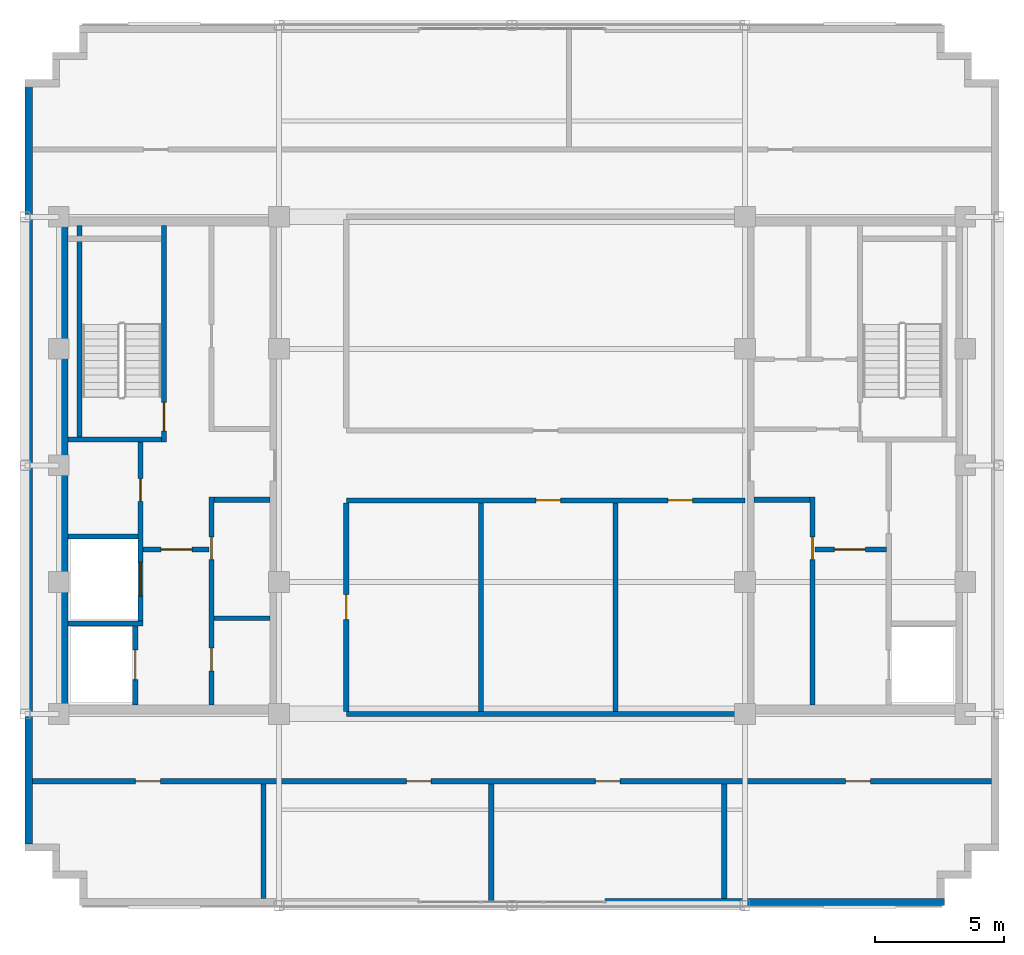
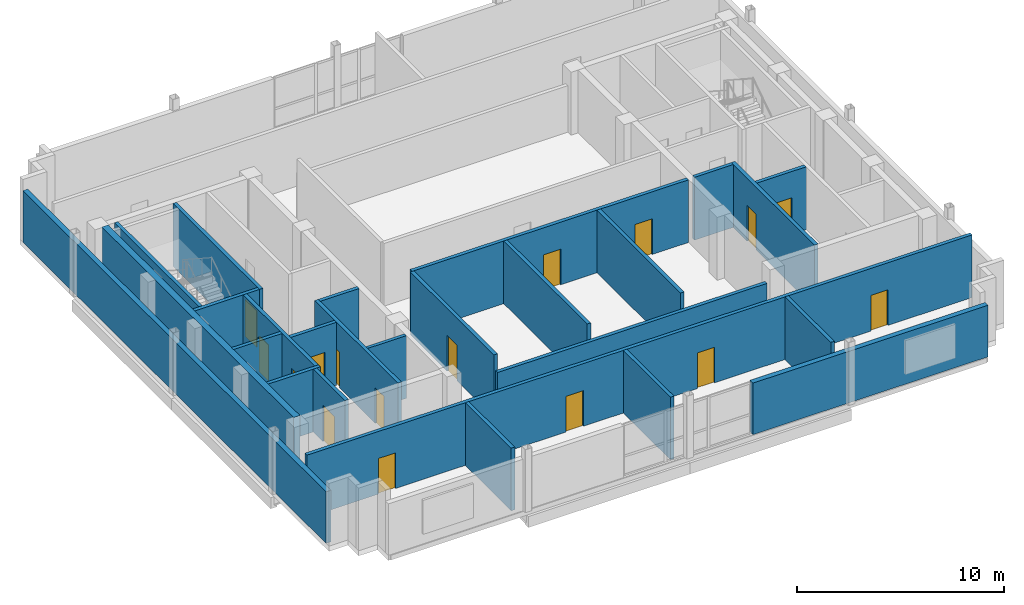
# One storey, part 2 of 10: 26 walls, 16 doors, 16 openings.
"""IFC4 building model written with IfcOpenShell, lengths in metres."""

from ifc_helpers import new_model, si_unit, direction, frame, frame_2d, origin, place, context, subcontext, project, spatial, rectangle, extrude, source, transform, mapped, material, layer, layer_set, type_object, type_shapes, element, fill, save


model = new_model("IFC4")

# Units and contexts
model_context = context("Model", 3, precision=1e-05, world=origin(), true_north=direction((0.0, 1.0)))
body_context = subcontext(model_context, "Body", "Model", "MODEL_VIEW")
ifc_project = project(units=[si_unit("LENGTHUNIT", "METRE"), si_unit("AREAUNIT", "SQUARE_METRE"), si_unit("VOLUMEUNIT", "CUBIC_METRE"), si_unit("PLANEANGLEUNIT", "RADIAN"), si_unit("MASSUNIT", "GRAM", prefix="KILO")], contexts=[model_context])

# Site, building, storey
site_placement = place(None, origin())
site = spatial("IfcSite", under=ifc_project, at=site_placement, CompositionType="ELEMENT")
building_placement = place(site_placement, origin())
building = spatial("IfcBuilding", under=site, at=building_placement, Name="Nuvemarco Arch Tower", CompositionType="ELEMENT")
storey_placement = place(building_placement, frame((0.0, 0.0, 303.14990234375)))
storey = spatial("IfcBuildingStorey", under=building, at=storey_placement, Name="L80", CompositionType="ELEMENT", Elevation=303.14990234375)

# Walls
ifc_material_1 = material(Name="Precast concrete C45/55", Category="concrete")
ifc_layer_1 = layer(ifc_material_1, 0.280029296875, Name="EW-CRN-280")
ifc_layer_set_1 = layer_set([ifc_layer_1], Name="Precast concrete C45/55")
wall_type_1 = type_object("IfcWallType", Name="EW-CRN-280", PredefinedType="STANDARD", material=ifc_layer_set_1)
wall_1_placement = place(storey_placement, frame((3.60009765625, -16.860107421875, 0.0), z_axis=(0.0, 0.0, 1.0), x_axis=(1.0, 0.0, 0.0)))
element("IfcWall", 1, at=wall_1_placement, inside=storey, type_object=wall_type_1, Name="L80 exterior precast pier wall south right", PredefinedType="STANDARD", context=body_context, shape_type="SweptSolid", body=[
    extrude(rectangle(XDim=13.099853515625, YDim=0.280029296875, at=frame_2d((6.5498046875, 0.0))), origin(), (0.0, 0.0, 1.0), 3.03515625),
])
wall_2_placement = place(storey_placement, frame((-18.659912109375, -14.6240234375, 0.0), z_axis=(0.0, 0.0, 1.0), x_axis=(0.0, 1.0, 0.0)))
element("IfcWall", 2, at=wall_2_placement, inside=storey, type_object=wall_type_1, Name="L80 exterior precast facade wall 16", PredefinedType="STANDARD", context=body_context, shape_type="SweptSolid", body=[
    extrude(rectangle(XDim=29.248046875, YDim=0.280029296875, at=frame_2d((14.6240234375, 0.0))), origin(), (0.0, 0.0, 1.0), 3.03515625),
])
ifc_material_2 = material(Name="Concrete C50/60", Category="concrete")
ifc_layer_2 = layer(ifc_material_2, 0.35009765625, Name="WL-CORE-350")
ifc_layer_set_2 = layer_set([ifc_layer_2], Name="Concrete C50/60")
wall_type_2 = type_object("IfcWallType", Name="WL-CORE-350", PredefinedType="SHEAR", material=ifc_layer_set_2)
wall_3_placement = place(storey_placement, frame((-17.324951171875, -9.2548828125, 0.0), z_axis=(0.0, 0.0, 1.0), x_axis=(0.0, 1.0, 0.0)))
element("IfcWall", 3, at=wall_3_placement, inside=storey, type_object=wall_type_2, Name="L80 W-core shear wall W", PredefinedType="SHEAR", context=body_context, shape_type="SweptSolid", body=[
    extrude(rectangle(XDim=18.509765625, YDim=0.35009765625, at=frame_2d((9.2548828125, 0.0))), origin(), (0.0, 0.0, 1.0), 3.7001953125),
])
ifc_material_3 = material(Name="Fire-rated gypsum drywall partition")
ifc_layer_3 = layer(ifc_material_3, 0.179931640625, Name="WL-CORR-180")
ifc_layer_set_3 = layer_set([ifc_layer_3], Name="Fire-rated gypsum drywall partition")
wall_type_3 = type_object("IfcWallType", Name="WL-CORR-180", PredefinedType="PARTITIONING", material=ifc_layer_set_3)
wall_4_placement = place(storey_placement, frame((-11.5048828125, -5.89990234375, 0.0), z_axis=(0.0, 0.0, 1.0), x_axis=(1.0, 0.0, 0.0)))
element("IfcWall", 4, at=wall_4_placement, inside=storey, type_object=wall_type_3, Name="L80 interior wall IW-L80-W-RECK3", PredefinedType="PARTITIONING", context=body_context, shape_type="SweptSolid", body=[
    extrude(rectangle(XDim=2.159912109375, YDim=0.179931640625, at=frame_2d((1.080078125, 0.0))), origin(), (0.0, 0.0, 1.0), 3.690185546875),
])

# Wall, openings, doors
ifc_layer_4 = layer(ifc_material_1, 0.199951171875, Name="WL-PLANT-200")
ifc_layer_set_4 = layer_set([ifc_layer_4], Name="Precast concrete C45/55")
wall_type_4 = type_object("IfcWallType", Name="WL-PLANT-200", PredefinedType="STANDARD", material=ifc_layer_set_4)
wall_5_placement = place(storey_placement, frame((-18.52001953125, -12.199951171875, 0.0), z_axis=(0.0, 0.0, 1.0), x_axis=(1.0, 0.0, 0.0)))
wall_5 = element("IfcWall", 5, at=wall_5_placement, inside=storey, type_object=wall_type_4, Name="L80 interior wall IW-L80-001", PredefinedType="STANDARD", context=body_context, shape_type="SweptSolid", body=[
    extrude(rectangle(XDim=37.0400390625, YDim=0.199951171875, at=frame_2d((18.52001953125, 0.0))), origin(), (0.0, 0.0, 1.0), 3.690185546875),
])
opening_1_placement = place(wall_5_placement, frame((31.39990234375, 0.0, 0.0)))
opening_1 = element("IfcOpeningElement", 6, at=opening_1_placement, cuts=wall_5, Name="Opening FD-5", PredefinedType="OPENING", context=body_context, shape_type="SweptSolid", body=[
    extrude(rectangle(XDim=0.9599609375, YDim=2.10009765625, at=frame_2d((0.47998046875, 1.050048828125))), frame((0.0, 0.10986328125, 0.0), z_axis=(0.0, -1.0, 0.0), x_axis=(1.0, 0.0, 0.0)), (0.0, 0.0, 1.0), 0.219970703125),
])
opening_2_placement = place(wall_5_placement, frame((21.739990234375, 0.0, 0.0)))
opening_2 = element("IfcOpeningElement", 7, at=opening_2_placement, cuts=wall_5, Name="Opening FD-5", PredefinedType="OPENING", context=body_context, shape_type="SweptSolid", body=[
    extrude(rectangle(XDim=0.9599609375, YDim=2.10009765625, at=frame_2d((0.47998046875, 1.050048828125))), frame((0.0, 0.10986328125, 0.0), z_axis=(0.0, -1.0, 0.0), x_axis=(1.0, 0.0, 0.0)), (0.0, 0.0, 1.0), 0.219970703125),
])
opening_3_placement = place(wall_5_placement, frame((3.97998046875, 0.0, 0.0)))
opening_3 = element("IfcOpeningElement", 8, at=opening_3_placement, cuts=wall_5, Name="Opening FD-5", PredefinedType="OPENING", context=body_context, shape_type="SweptSolid", body=[
    extrude(rectangle(XDim=0.9599609375, YDim=2.10009765625, at=frame_2d((0.47998046875, 1.050048828125))), frame((0.0, 0.10986328125, 0.0), z_axis=(0.0, -1.0, 0.0), x_axis=(1.0, 0.0, 0.0)), (0.0, 0.0, 1.0), 0.219970703125),
])
opening_4_placement = place(wall_5_placement, frame((14.43994140625, 0.0, 0.0)))
opening_4 = element("IfcOpeningElement", 9, at=opening_4_placement, cuts=wall_5, Name="Opening FD-5", PredefinedType="OPENING", context=body_context, shape_type="SweptSolid", body=[
    extrude(rectangle(XDim=0.9599609375, YDim=2.10009765625, at=frame_2d((0.47998046875, 1.050048828125))), frame((0.0, 0.10986328125, 0.0), z_axis=(0.0, -1.0, 0.0), x_axis=(1.0, 0.0, 0.0)), (0.0, 0.0, 1.0), 0.219970703125),
])
ifc_material_4 = material(Name="Timber fire door", Category="wood")
door_type_1 = type_object("IfcDoorType", Name="DR-CORR-FD", OperationType="NOTDEFINED", PredefinedType="DOOR", material=ifc_material_4)
shared_shape_1 = source(origin(), body_context, "Body", "SweptSolid", [
    extrude(rectangle(XDim=0.9599609375, YDim=2.10009765625, at=frame_2d((0.47998046875, 1.050048828125))), frame((0.0, 0.02490234375, 0.0), z_axis=(0.0, -1.0, 0.0), x_axis=(1.0, 0.0, 0.0)), (0.0, 0.0, 1.0), 0.050048828125),
])
type_shapes(door_type_1, [shared_shape_1])
door_1_placement = place(opening_1_placement, origin())
door_1 = element("IfcDoor", 10, at=door_1_placement, inside=storey, type_object=door_type_1, Name="L80 door DR-L80-CRN_S4", OperationType="SINGLE_SWING_LEFT", OverallHeight=2.10009765625, OverallWidth=0.9599609375, PredefinedType="DOOR", context=body_context, shape_type="MappedRepresentation", body=[
    mapped(shared_shape_1, transform((0.0, 0.0, 0.0), scale=1.0)),
])
fill(opening_1, door_1)
door_2_placement = place(opening_2_placement, origin())
door_2 = element("IfcDoor", 11, at=door_2_placement, inside=storey, type_object=door_type_1, Name="L80 door DR-L80-CRN_S3", OperationType="SINGLE_SWING_LEFT", OverallHeight=2.10009765625, OverallWidth=0.9599609375, PredefinedType="DOOR", context=body_context, shape_type="MappedRepresentation", body=[
    mapped(shared_shape_1, transform((0.0, 0.0, 0.0), scale=1.0)),
])
fill(opening_2, door_2)
door_3_placement = place(opening_3_placement, origin())
door_3 = element("IfcDoor", 12, at=door_3_placement, inside=storey, type_object=door_type_1, Name="L80 door DR-L80-CRN_S1", OperationType="SINGLE_SWING_RIGHT", OverallHeight=2.10009765625, OverallWidth=0.9599609375, PredefinedType="DOOR", context=body_context, shape_type="MappedRepresentation", body=[
    mapped(shared_shape_1, transform((0.0, 0.0, 0.0), scale=1.0)),
])
fill(opening_3, door_3)
door_4_placement = place(opening_4_placement, origin())
door_4 = element("IfcDoor", 13, at=door_4_placement, inside=storey, type_object=door_type_1, Name="L80 door DR-L80-CRN_S2", OperationType="SINGLE_SWING_RIGHT", OverallHeight=2.10009765625, OverallWidth=0.9599609375, PredefinedType="DOOR", context=body_context, shape_type="MappedRepresentation", body=[
    mapped(shared_shape_1, transform((0.0, 0.0, 0.0), scale=1.0)),
])
fill(opening_4, door_4)

# Wall
wall_6_placement = place(storey_placement, frame((-6.39990234375, -9.60009765625, 0.0), z_axis=(0.0, 0.0, 1.0), x_axis=(1.0, 0.0, 0.0)))
element("IfcWall", 14, at=wall_6_placement, inside=storey, type_object=wall_type_4, Name="L80 interior wall IW-L80-002", PredefinedType="STANDARD", context=body_context, shape_type="SweptSolid", body=[
    extrude(rectangle(XDim=15.00390625, YDim=0.199951171875, at=frame_2d((7.501953125, 0.0))), origin(), (0.0, 0.0, 1.0), 2.735107421875),
])

# Wall, openings, doors
wall_7_placement = place(storey_placement, frame((-6.39990234375, -1.35009765625, 0.0), z_axis=(0.0, 0.0, 1.0), x_axis=(1.0, 0.0, 0.0)))
wall_7 = element("IfcWall", 15, at=wall_7_placement, inside=storey, type_object=wall_type_4, Name="L80 interior wall IW-L80-003", PredefinedType="STANDARD", context=body_context, shape_type="SweptSolid", body=[
    extrude(rectangle(XDim=15.39990234375, YDim=0.199951171875, at=frame_2d((7.699951171875, 0.0))), origin(), (0.0, 0.0, 1.0), 3.690185546875),
])
opening_5_placement = place(wall_7_placement, frame((7.320068359375, 0.0, 0.0)))
opening_5 = element("IfcOpeningElement", 16, at=opening_5_placement, cuts=wall_7, Name="Opening FD-5", PredefinedType="OPENING", context=body_context, shape_type="SweptSolid", body=[
    extrude(rectangle(XDim=0.9599609375, YDim=2.10009765625, at=frame_2d((0.47998046875, 1.050048828125))), frame((0.0, 0.10986328125, 0.0), z_axis=(0.0, -1.0, 0.0), x_axis=(1.0, 0.0, 0.0)), (0.0, 0.0, 1.0), 0.219970703125),
])
opening_6_placement = place(wall_7_placement, frame((12.419921875, 0.0, 0.0)))
opening_6 = element("IfcOpeningElement", 17, at=opening_6_placement, cuts=wall_7, Name="Opening FD-5", PredefinedType="OPENING", context=body_context, shape_type="SweptSolid", body=[
    extrude(rectangle(XDim=0.9599609375, YDim=2.10009765625, at=frame_2d((0.47998046875, 1.050048828125))), frame((0.0, 0.10986328125, 0.0), z_axis=(0.0, -1.0, 0.0), x_axis=(1.0, 0.0, 0.0)), (0.0, 0.0, 1.0), 0.219970703125),
])
door_5_placement = place(opening_5_placement, origin())
door_5 = element("IfcDoor", 18, at=door_5_placement, inside=storey, type_object=door_type_1, Name="L80 door DR-L80-CRN_BMS2", OperationType="SINGLE_SWING_LEFT", OverallHeight=2.10009765625, OverallWidth=0.9599609375, PredefinedType="DOOR", context=body_context, shape_type="MappedRepresentation", body=[
    mapped(shared_shape_1, transform((0.0, 0.0, 0.0), scale=1.0)),
])
fill(opening_5, door_5)
door_6_placement = place(opening_6_placement, origin())
door_6 = element("IfcDoor", 19, at=door_6_placement, inside=storey, type_object=door_type_1, Name="L80 door DR-L80-CRN_BMS3", OperationType="SINGLE_SWING_RIGHT", OverallHeight=2.10009765625, OverallWidth=0.9599609375, PredefinedType="DOOR", context=body_context, shape_type="MappedRepresentation", body=[
    mapped(shared_shape_1, transform((0.0, 0.0, 0.0), scale=1.0)),
])
fill(opening_6, door_6)

# Wall
wall_8_placement = place(storey_placement, frame((-9.60009765625, -16.719970703125, 0.0), z_axis=(0.0, 0.0, 1.0), x_axis=(0.0, 1.0, 0.0)))
element("IfcWall", 20, at=wall_8_placement, inside=storey, type_object=wall_type_4, Name="L80 interior wall IW-L80-007", PredefinedType="STANDARD", context=body_context, shape_type="SweptSolid", body=[
    extrude(rectangle(XDim=4.424072265625, YDim=0.199951171875, at=frame_2d((2.2119140625, 0.0))), origin(), (0.0, 0.0, 1.0), 3.690185546875),
])

# Wall, opening, door
wall_9_placement = place(storey_placement, frame((-6.39990234375, -9.50390625, 0.0), z_axis=(0.0, 0.0, 1.0), x_axis=(0.0, 1.0, 0.0)))
wall_9 = element("IfcWall", 21, at=wall_9_placement, inside=storey, type_object=wall_type_4, Name="L80 interior wall IW-L80-008", PredefinedType="STANDARD", context=body_context, shape_type="SweptSolid", body=[
    extrude(rectangle(XDim=8.057861328125, YDim=0.199951171875, at=frame_2d((4.02880859375, 0.0))), origin(), (0.0, 0.0, 1.0), 3.690185546875),
])
opening_7_placement = place(wall_9_placement, frame((3.549072265625, 0.0, 0.0)))
opening_7 = element("IfcOpeningElement", 22, at=opening_7_placement, cuts=wall_9, Name="Opening FD-5", PredefinedType="OPENING", context=body_context, shape_type="SweptSolid", body=[
    extrude(rectangle(XDim=0.9599609375, YDim=2.10009765625, at=frame_2d((0.47998046875, 1.050048828125))), frame((0.0, 0.10986328125, 0.0), z_axis=(0.0, -1.0, 0.0), x_axis=(1.0, 0.0, 0.0)), (0.0, 0.0, 1.0), 0.219970703125),
])
door_7_placement = place(opening_7_placement, origin())
door_7 = element("IfcDoor", 23, at=door_7_placement, inside=storey, type_object=door_type_1, Name="L80 door DR-L80-CRN_BMS1", OperationType="SINGLE_SWING_LEFT", OverallHeight=2.10009765625, OverallWidth=0.9599609375, PredefinedType="DOOR", context=body_context, shape_type="MappedRepresentation", body=[
    mapped(shared_shape_1, transform((0.0, 0.0, 0.0), scale=1.0)),
])
fill(opening_7, door_7)

# Walls
wall_10_placement = place(storey_placement, frame((-1.199951171875, -9.50390625, 0.0), z_axis=(0.0, 0.0, 1.0), x_axis=(0.0, 1.0, 0.0)))
element("IfcWall", 24, at=wall_10_placement, inside=storey, type_object=wall_type_4, Name="L80 interior wall IW-L80-010", PredefinedType="STANDARD", context=body_context, shape_type="SweptSolid", body=[
    extrude(rectangle(XDim=8.057861328125, YDim=0.199951171875, at=frame_2d((4.02880859375, 0.0))), origin(), (0.0, 0.0, 1.0), 3.690185546875),
])
wall_11_placement = place(storey_placement, frame((-0.800048828125, -16.844970703125, 0.0), z_axis=(0.0, 0.0, 1.0), x_axis=(0.0, 1.0, 0.0)))
element("IfcWall", 25, at=wall_11_placement, inside=storey, type_object=wall_type_4, Name="L80 interior wall IW-L80-011", PredefinedType="STANDARD", context=body_context, shape_type="SweptSolid", body=[
    extrude(rectangle(XDim=4.549072265625, YDim=0.199951171875, at=frame_2d((2.2744140625, 0.0))), origin(), (0.0, 0.0, 1.0), 3.690185546875),
])
wall_12_placement = place(storey_placement, frame((4.0, -9.50390625, 0.0), z_axis=(0.0, 0.0, 1.0), x_axis=(0.0, 1.0, 0.0)))
element("IfcWall", 26, at=wall_12_placement, inside=storey, type_object=wall_type_4, Name="L80 interior wall IW-L80-013", PredefinedType="STANDARD", context=body_context, shape_type="SweptSolid", body=[
    extrude(rectangle(XDim=8.057861328125, YDim=0.199951171875, at=frame_2d((4.02880859375, 0.0))), origin(), (0.0, 0.0, 1.0), 3.690185546875),
])
wall_13_placement = place(storey_placement, frame((8.199951171875, -16.719970703125, 0.0), z_axis=(0.0, 0.0, 1.0), x_axis=(0.0, 1.0, 0.0)))
element("IfcWall", 27, at=wall_13_placement, inside=storey, type_object=wall_type_4, Name="L80 interior wall IW-L80-014", PredefinedType="STANDARD", context=body_context, shape_type="SweptSolid", body=[
    extrude(rectangle(XDim=4.424072265625, YDim=0.199951171875, at=frame_2d((2.2119140625, 0.0))), origin(), (0.0, 0.0, 1.0), 3.690185546875),
])

# Wall, opening, door
ifc_layer_5 = layer(ifc_material_2, 0.199951171875, Name="WL-SHAFT-220")
ifc_layer_set_5 = layer_set([ifc_layer_5], Name="Concrete C50/60")
wall_type_5 = type_object("IfcWallType", Name="WL-SHAFT-220", PredefinedType="SHEAR", material=ifc_layer_set_5)
wall_14_placement = place(storey_placement, frame((-13.43994140625, 0.89990234375, 0.0), z_axis=(0.0, 0.0, 1.0), x_axis=(0.0, 1.0, 0.0)))
wall_14 = element("IfcWall", 28, at=wall_14_placement, inside=storey, type_object=wall_type_5, Name="L80 structural shaft wall SW-L80-W-ST1E", PredefinedType="SHEAR", context=body_context, shape_type="SweptSolid", body=[
    extrude(rectangle(XDim=8.35498046875, YDim=0.199951171875, at=frame_2d((4.177490234375, 0.0))), origin(), (0.0, 0.0, 1.0), 3.7001953125),
])
opening_8_placement = place(wall_14_placement, frame((1.530029296875, 0.0, 0.0), z_axis=(0.0, 0.0, 1.0), x_axis=(-1.0, 0.0, 0.0)))
opening_8 = element("IfcOpeningElement", 29, at=opening_8_placement, cuts=wall_14, Name="Opening FD-1", PredefinedType="OPENING", context=body_context, shape_type="SweptSolid", body=[
    extrude(rectangle(XDim=1.10009765625, YDim=2.14990234375, at=frame_2d((0.550048828125, 1.074951171875))), frame((0.0, 0.10986328125, 0.0), z_axis=(0.0, -1.0, 0.0), x_axis=(1.0, 0.0, 0.0)), (0.0, 0.0, 1.0), 0.219970703125),
])
ifc_material_5 = material(Name="Anodised steel fire door", Category="steel")
door_type_2 = type_object("IfcDoorType", Name="DR-STAIR-FD", OperationType="NOTDEFINED", PredefinedType="DOOR", material=ifc_material_5)
shared_shape_2 = source(origin(), body_context, "Body", "SweptSolid", [
    extrude(rectangle(XDim=1.10009765625, YDim=2.14990234375, at=frame_2d((0.550048828125, 1.074951171875))), frame((0.0, 0.02490234375, 0.0), z_axis=(0.0, -1.0, 0.0), x_axis=(1.0, 0.0, 0.0)), (0.0, 0.0, 1.0), 0.050048828125),
])
type_shapes(door_type_2, [shared_shape_2])
door_8_placement = place(opening_8_placement, origin())
door_8 = element("IfcDoor", 30, at=door_8_placement, inside=storey, type_object=door_type_2, Name="L80 door FD-L80-ST1", OperationType="SINGLE_SWING_RIGHT", OverallHeight=2.14990234375, OverallWidth=1.10009765625, PredefinedType="DOOR", context=body_context, shape_type="MappedRepresentation", body=[
    mapped(shared_shape_2, transform((0.0, 0.0, 0.0), scale=1.0)),
])
fill(opening_8, door_8)

# Walls
wall_15_placement = place(storey_placement, frame((-17.155029296875, 1.0, 0.0), z_axis=(0.0, 0.0, 1.0), x_axis=(1.0, 0.0, 0.0)))
element("IfcWall", 31, at=wall_15_placement, inside=storey, type_object=wall_type_5, Name="L80 structural shaft wall SW-L80-W-ST1S", PredefinedType="SHEAR", context=body_context, shape_type="SweptSolid", body=[
    extrude(rectangle(XDim=3.6201171875, YDim=0.199951171875, at=frame_2d((1.81005859375, 0.0))), origin(), (0.0, 0.0, 1.0), 3.7001953125),
])
wall_16_placement = place(storey_placement, frame((-16.699951171875, 1.094970703125, 0.0), z_axis=(0.0, 0.0, 1.0), x_axis=(0.0, 1.0, 0.0)))
element("IfcWall", 32, at=wall_16_placement, inside=storey, type_object=wall_type_5, Name="L80 structural shaft wall SW-L80-W-ST1W", PredefinedType="SHEAR", context=body_context, shape_type="SweptSolid", body=[
    extrude(rectangle(XDim=8.159912109375, YDim=0.199951171875, at=frame_2d((4.080078125, 0.0))), origin(), (0.0, 0.0, 1.0), 3.7001953125),
])

# Wall, opening, door
wall_17_placement = place(storey_placement, frame((-14.550048828125, -9.2548828125, 0.0), z_axis=(0.0, 0.0, 1.0), x_axis=(0.0, 1.0, 0.0)))
wall_17 = element("IfcWall", 33, at=wall_17_placement, inside=storey, type_object=wall_type_5, Name="L80 structural shaft wall SW-L80-W-SHE", PredefinedType="SHEAR", context=body_context, shape_type="SweptSolid", body=[
    extrude(rectangle(XDim=3.059814453125, YDim=0.199951171875, at=frame_2d((1.52978515625, 0.0))), origin(), (0.0, 0.0, 1.0), 3.7001953125),
])
opening_9_placement = place(wall_17_placement, frame((0.97998046875, 0.0, 0.0)))
opening_9 = element("IfcOpeningElement", 34, at=opening_9_placement, cuts=wall_17, Name="Opening LD-2", PredefinedType="OPENING", context=body_context, shape_type="SweptSolid", body=[
    extrude(rectangle(XDim=1.14990234375, YDim=2.14990234375, at=frame_2d((0.574951171875, 1.074951171875))), frame((0.0, 0.10986328125, 0.0), z_axis=(0.0, -1.0, 0.0), x_axis=(1.0, 0.0, 0.0)), (0.0, 0.0, 1.0), 0.219970703125),
])
ifc_material_6 = material(Name="Stainless steel lift door", Category="steel")
door_type_3 = type_object("IfcDoorType", Name="DR-LIFT-FIRE", OperationType="DOUBLE_DOOR_SLIDING", PredefinedType="DOOR", material=ifc_material_6)
shared_shape_3 = source(origin(), body_context, "Body", "SweptSolid", [
    extrude(rectangle(XDim=1.14990234375, YDim=2.14990234375, at=frame_2d((0.574951171875, 1.074951171875))), frame((0.0, 0.02490234375, 0.0), z_axis=(0.0, -1.0, 0.0), x_axis=(1.0, 0.0, 0.0)), (0.0, 0.0, 1.0), 0.050048828125),
])
type_shapes(door_type_3, [shared_shape_3])
door_9_placement = place(opening_9_placement, origin())
door_9 = element("IfcDoor", 35, at=door_9_placement, inside=storey, type_object=door_type_3, Name="L80 Lift landing sliding door FFL-1", OperationType="DOUBLE_DOOR_SLIDING", OverallHeight=2.14990234375, OverallWidth=1.14990234375, PredefinedType="DOOR", context=body_context, shape_type="MappedRepresentation", body=[
    mapped(shared_shape_3, transform((0.0, 0.0, 0.0), scale=1.0)),
])
fill(opening_9, door_9)

# Wall, openings, doors
wall_18_placement = place(storey_placement, frame((-14.35009765625, -6.199951171875, 0.0), z_axis=(0.0, 0.0, 1.0), x_axis=(0.0, 1.0, 0.0)))
wall_18 = element("IfcWall", 36, at=wall_18_placement, inside=storey, type_object=wall_type_5, Name="L80 structural shaft wall SW-L80-W-SVE", PredefinedType="SHEAR", context=body_context, shape_type="SweptSolid", body=[
    extrude(rectangle(XDim=7.10498046875, YDim=0.199951171875, at=frame_2d((3.552490234375, 0.0))), origin(), (0.0, 0.0, 1.0), 3.7001953125),
])
opening_10_placement = place(wall_18_placement, frame((5.68994140625, 0.0, 0.0), z_axis=(0.0, 0.0, 1.0), x_axis=(-1.0, 0.0, 0.0)))
opening_10 = element("IfcOpeningElement", 37, at=opening_10_placement, cuts=wall_18, Name="Opening FD-4", PredefinedType="OPENING", context=body_context, shape_type="SweptSolid", body=[
    extrude(rectangle(XDim=0.8798828125, YDim=2.10009765625, at=frame_2d((0.43994140625, 1.050048828125))), frame((0.0, 0.10986328125, 0.0), z_axis=(0.0, -1.0, 0.0), x_axis=(1.0, 0.0, 0.0)), (0.0, 0.0, 1.0), 0.219970703125),
])
opening_11_placement = place(wall_18_placement, frame((1.14990234375, 0.0, 0.0)))
opening_11 = element("IfcOpeningElement", 38, at=opening_11_placement, cuts=wall_18, Name="Opening LD-3", PredefinedType="OPENING", context=body_context, shape_type="SweptSolid", body=[
    extrude(rectangle(XDim=1.300048828125, YDim=2.199951171875, at=frame_2d((0.64990234375, 1.10009765625))), frame((0.0, 0.10986328125, 0.0), z_axis=(0.0, -1.0, 0.0), x_axis=(1.0, 0.0, 0.0)), (0.0, 0.0, 1.0), 0.219970703125),
])
door_type_4 = type_object("IfcDoorType", Name="DR-RISER-FD", OperationType="NOTDEFINED", PredefinedType="DOOR", material=ifc_material_5)
shared_shape_4 = source(origin(), body_context, "Body", "SweptSolid", [
    extrude(rectangle(XDim=0.8798828125, YDim=2.10009765625, at=frame_2d((0.43994140625, 1.050048828125))), frame((0.0, 0.02490234375, 0.0), z_axis=(0.0, -1.0, 0.0), x_axis=(1.0, 0.0, 0.0)), (0.0, 0.0, 1.0), 0.050048828125),
])
type_shapes(door_type_4, [shared_shape_4])
door_10_placement = place(opening_10_placement, origin())
door_10 = element("IfcDoor", 39, at=door_10_placement, inside=storey, type_object=door_type_4, Name="L80 door FD-L80-WRIS", OperationType="SINGLE_SWING_RIGHT", OverallHeight=2.10009765625, OverallWidth=0.8798828125, PredefinedType="DOOR", context=body_context, shape_type="MappedRepresentation", body=[
    mapped(shared_shape_4, transform((0.0, 0.0, 0.0), scale=1.0)),
])
fill(opening_10, door_10)
door_type_5 = type_object("IfcDoorType", Name="DR-LIFT-SERV", OperationType="DOUBLE_DOOR_SLIDING", PredefinedType="DOOR", material=ifc_material_6)
shared_shape_5 = source(origin(), body_context, "Body", "SweptSolid", [
    extrude(rectangle(XDim=1.300048828125, YDim=2.199951171875, at=frame_2d((0.64990234375, 1.10009765625))), frame((0.0, 0.02490234375, 0.0), z_axis=(0.0, -1.0, 0.0), x_axis=(1.0, 0.0, 0.0)), (0.0, 0.0, 1.0), 0.050048828125),
])
type_shapes(door_type_5, [shared_shape_5])
door_11_placement = place(opening_11_placement, origin())
door_11 = element("IfcDoor", 40, at=door_11_placement, inside=storey, type_object=door_type_5, Name="L80 Lift landing sliding door SVL-1", OperationType="DOUBLE_DOOR_SLIDING", OverallHeight=2.199951171875, OverallWidth=1.300048828125, PredefinedType="DOOR", context=body_context, shape_type="MappedRepresentation", body=[
    mapped(shared_shape_5, transform((0.0, 0.0, 0.0), scale=1.0)),
])
fill(opening_11, door_11)

# Walls
wall_19_placement = place(storey_placement, frame((-17.155029296875, -6.10009765625, 0.0), z_axis=(0.0, 0.0, 1.0), x_axis=(1.0, 0.0, 0.0)))
element("IfcWall", 41, at=wall_19_placement, inside=storey, type_object=wall_type_5, Name="L80 structural shaft wall SW-L80-W-SH1", PredefinedType="SHEAR", context=body_context, shape_type="SweptSolid", body=[
    extrude(rectangle(XDim=2.905029296875, YDim=0.199951171875, at=frame_2d((1.45263671875, 0.0))), origin(), (0.0, 0.0, 1.0), 3.7001953125),
])
wall_20_placement = place(storey_placement, frame((-17.155029296875, -2.75, 0.0), z_axis=(0.0, 0.0, 1.0), x_axis=(1.0, 0.0, 0.0)))
element("IfcWall", 42, at=wall_20_placement, inside=storey, type_object=wall_type_5, Name="L80 structural shaft wall SW-L80-W-SH2", PredefinedType="SHEAR", context=body_context, shape_type="SweptSolid", body=[
    extrude(rectangle(XDim=2.7099609375, YDim=0.199951171875, at=frame_2d((1.35498046875, 0.0))), origin(), (0.0, 0.0, 1.0), 3.7001953125),
])

# Wall, openings, doors
wall_21_placement = place(storey_placement, frame((-11.60009765625, -9.2548828125, 0.0), z_axis=(0.0, 0.0, 1.0), x_axis=(0.0, 1.0, 0.0)))
wall_21 = element("IfcWall", 43, at=wall_21_placement, inside=storey, type_object=wall_type_5, Name="L80 structural shaft wall SW-L80-W-PLW", PredefinedType="SHEAR", context=body_context, shape_type="SweptSolid", body=[
    extrude(rectangle(XDim=8.02490234375, YDim=0.199951171875, at=frame_2d((4.012451171875, 0.0))), origin(), (0.0, 0.0, 1.0), 3.7001953125),
])
opening_12_placement = place(wall_21_placement, frame((1.31494140625, 0.0, 0.0)))
opening_12 = element("IfcOpeningElement", 44, at=opening_12_placement, cuts=wall_21, Name="Opening FD-4", PredefinedType="OPENING", context=body_context, shape_type="SweptSolid", body=[
    extrude(rectangle(XDim=0.8798828125, YDim=2.10009765625, at=frame_2d((0.43994140625, 1.050048828125))), frame((0.0, 0.10986328125, 0.0), z_axis=(0.0, -1.0, 0.0), x_axis=(1.0, 0.0, 0.0)), (0.0, 0.0, 1.0), 0.219970703125),
])
opening_13_placement = place(wall_21_placement, frame((5.614990234375, 0.0, 0.0)))
opening_13 = element("IfcOpeningElement", 45, at=opening_13_placement, cuts=wall_21, Name="Opening FD-4", PredefinedType="OPENING", context=body_context, shape_type="SweptSolid", body=[
    extrude(rectangle(XDim=0.8798828125, YDim=2.10009765625, at=frame_2d((0.43994140625, 1.050048828125))), frame((0.0, 0.10986328125, 0.0), z_axis=(0.0, -1.0, 0.0), x_axis=(1.0, 0.0, 0.0)), (0.0, 0.0, 1.0), 0.219970703125),
])
door_12_placement = place(opening_12_placement, origin())
door_12 = element("IfcDoor", 46, at=door_12_placement, inside=storey, type_object=door_type_4, Name="L80 door FD-L80-WREC1", OperationType="SINGLE_SWING_RIGHT", OverallHeight=2.10009765625, OverallWidth=0.8798828125, PredefinedType="DOOR", context=body_context, shape_type="MappedRepresentation", body=[
    mapped(shared_shape_4, transform((0.0, 0.0, 0.0), scale=1.0)),
])
fill(opening_12, door_12)
door_13_placement = place(opening_13_placement, origin())
door_13 = element("IfcDoor", 47, at=door_13_placement, inside=storey, type_object=door_type_4, Name="L80 door FD-L80-WREC2", OperationType="SINGLE_SWING_LEFT", OverallHeight=2.10009765625, OverallWidth=0.8798828125, PredefinedType="DOOR", context=body_context, shape_type="MappedRepresentation", body=[
    mapped(shared_shape_4, transform((0.0, 0.0, 0.0), scale=1.0)),
])
fill(opening_13, door_13)

# Wall, opening, door
wall_22_placement = place(storey_placement, frame((-14.2548828125, -3.25, 0.0), z_axis=(0.0, 0.0, 1.0), x_axis=(1.0, 0.0, 0.0)))
wall_22 = element("IfcWall", 48, at=wall_22_placement, inside=storey, type_object=wall_type_5, Name="L80 structural shaft wall SW-L80-W-FFN", PredefinedType="SHEAR", context=body_context, shape_type="SweptSolid", body=[
    extrude(rectangle(XDim=2.559814453125, YDim=0.199951171875, at=frame_2d((1.27978515625, 0.0))), origin(), (0.0, 0.0, 1.0), 3.7001953125),
])
opening_14_placement = place(wall_22_placement, frame((0.705078125, 0.0, 0.0)))
opening_14 = element("IfcOpeningElement", 49, at=opening_14_placement, cuts=wall_22, Name="Opening FD-2", PredefinedType="OPENING", context=body_context, shape_type="SweptSolid", body=[
    extrude(rectangle(XDim=1.199951171875, YDim=2.14990234375, at=frame_2d((0.60009765625, 1.074951171875))), frame((0.0, 0.10986328125, 0.0), z_axis=(0.0, -1.0, 0.0), x_axis=(1.0, 0.0, 0.0)), (0.0, 0.0, 1.0), 0.219970703125),
])
door_type_6 = type_object("IfcDoorType", Name="DR-FFLOB-FD", OperationType="NOTDEFINED", PredefinedType="DOOR", material=ifc_material_5)
shared_shape_6 = source(origin(), body_context, "Body", "SweptSolid", [
    extrude(rectangle(XDim=1.199951171875, YDim=2.14990234375, at=frame_2d((0.60009765625, 1.074951171875))), frame((0.0, 0.02490234375, 0.0), z_axis=(0.0, -1.0, 0.0), x_axis=(1.0, 0.0, 0.0)), (0.0, 0.0, 1.0), 0.050048828125),
])
type_shapes(door_type_6, [shared_shape_6])
door_14_placement = place(opening_14_placement, origin())
door_14 = element("IfcDoor", 50, at=door_14_placement, inside=storey, type_object=door_type_6, Name="L80 door FD-L80-WFF1", OperationType="SINGLE_SWING_RIGHT", OverallHeight=2.14990234375, OverallWidth=1.199951171875, PredefinedType="DOOR", context=body_context, shape_type="MappedRepresentation", body=[
    mapped(shared_shape_6, transform((0.0, 0.0, 0.0), scale=1.0)),
])
fill(opening_14, door_14)

# Wall
wall_23_placement = place(storey_placement, frame((-11.5048828125, -1.330078125, 0.0), z_axis=(0.0, 0.0, 1.0), x_axis=(1.0, 0.0, 0.0)))
element("IfcWall", 51, at=wall_23_placement, inside=storey, type_object=wall_type_5, Name="L80 structural shaft wall SW-L80-W-PLTOP", PredefinedType="SHEAR", context=body_context, shape_type="SweptSolid", body=[
    extrude(rectangle(XDim=2.159912109375, YDim=0.199951171875, at=frame_2d((1.080078125, 0.0))), origin(), (0.0, 0.0, 1.0), 3.7001953125),
])

# Wall, opening, door
wall_24_placement = place(storey_placement, frame((11.60009765625, -9.2548828125, 0.0), z_axis=(0.0, 0.0, 1.0), x_axis=(0.0, 1.0, 0.0)))
wall_24 = element("IfcWall", 52, at=wall_24_placement, inside=storey, type_object=wall_type_5, Name="L80 structural shaft wall SW-L80-E-PME", PredefinedType="SHEAR", context=body_context, shape_type="SweptSolid", body=[
    extrude(rectangle(XDim=8.02490234375, YDim=0.199951171875, at=frame_2d((4.012451171875, 0.0))), origin(), (0.0, 0.0, 1.0), 3.7001953125),
])
opening_15_placement = place(wall_24_placement, frame((5.614990234375, 0.0, 0.0)))
opening_15 = element("IfcOpeningElement", 53, at=opening_15_placement, cuts=wall_24, Name="Opening FD-4", PredefinedType="OPENING", context=body_context, shape_type="SweptSolid", body=[
    extrude(rectangle(XDim=0.8798828125, YDim=2.10009765625, at=frame_2d((0.43994140625, 1.050048828125))), frame((0.0, 0.10986328125, 0.0), z_axis=(0.0, -1.0, 0.0), x_axis=(1.0, 0.0, 0.0)), (0.0, 0.0, 1.0), 0.219970703125),
])
door_15_placement = place(opening_15_placement, origin())
door_15 = element("IfcDoor", 54, at=door_15_placement, inside=storey, type_object=door_type_4, Name="L80 door FD-L80-ERECPM", OperationType="SINGLE_SWING_RIGHT", OverallHeight=2.10009765625, OverallWidth=0.8798828125, PredefinedType="DOOR", context=body_context, shape_type="MappedRepresentation", body=[
    mapped(shared_shape_4, transform((0.0, 0.0, 0.0), scale=1.0)),
])
fill(opening_15, door_15)

wall_25_placement = place(storey_placement, frame((11.695068359375, -3.25, 0.0), z_axis=(0.0, 0.0, 1.0), x_axis=(1.0, 0.0, 0.0)))
wall_25 = element("IfcWall", 55, at=wall_25_placement, inside=storey, type_object=wall_type_5, Name="L80 structural shaft wall SW-L80-E-FFN", PredefinedType="SHEAR", context=body_context, shape_type="SweptSolid", body=[
    extrude(rectangle(XDim=2.760009765625, YDim=0.199951171875, at=frame_2d((1.3798828125, 0.0))), origin(), (0.0, 0.0, 1.0), 3.7001953125),
])
opening_16_placement = place(wall_25_placement, frame((0.7548828125, 0.0, 0.0)))
opening_16 = element("IfcOpeningElement", 56, at=opening_16_placement, cuts=wall_25, Name="Opening FD-2", PredefinedType="OPENING", context=body_context, shape_type="SweptSolid", body=[
    extrude(rectangle(XDim=1.199951171875, YDim=2.14990234375, at=frame_2d((0.60009765625, 1.074951171875))), frame((0.0, 0.10986328125, 0.0), z_axis=(0.0, -1.0, 0.0), x_axis=(1.0, 0.0, 0.0)), (0.0, 0.0, 1.0), 0.219970703125),
])
door_16_placement = place(opening_16_placement, origin())
door_16 = element("IfcDoor", 57, at=door_16_placement, inside=storey, type_object=door_type_6, Name="L80 door FD-L80-EFF2", OperationType="SINGLE_SWING_LEFT", OverallHeight=2.14990234375, OverallWidth=1.199951171875, PredefinedType="DOOR", context=body_context, shape_type="MappedRepresentation", body=[
    mapped(shared_shape_6, transform((0.0, 0.0, 0.0), scale=1.0)),
])
fill(opening_16, door_16)

# Wall
wall_26_placement = place(storey_placement, frame((9.344970703125, -1.330078125, 0.0), z_axis=(0.0, 0.0, 1.0), x_axis=(1.0, 0.0, 0.0)))
element("IfcWall", 58, at=wall_26_placement, inside=storey, type_object=wall_type_5, Name="L80 structural shaft wall SW-L80-E-PMTOP", PredefinedType="SHEAR", context=body_context, shape_type="SweptSolid", body=[
    extrude(rectangle(XDim=2.159912109375, YDim=0.199951171875, at=frame_2d((1.080078125, 0.0))), origin(), (0.0, 0.0, 1.0), 3.7001953125),
])

save(model, "model.ifc")
